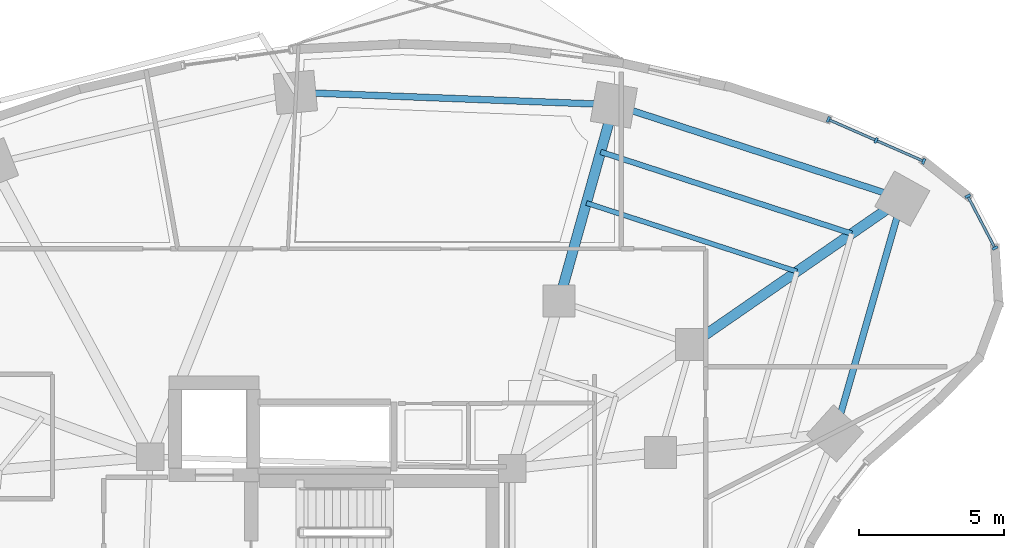
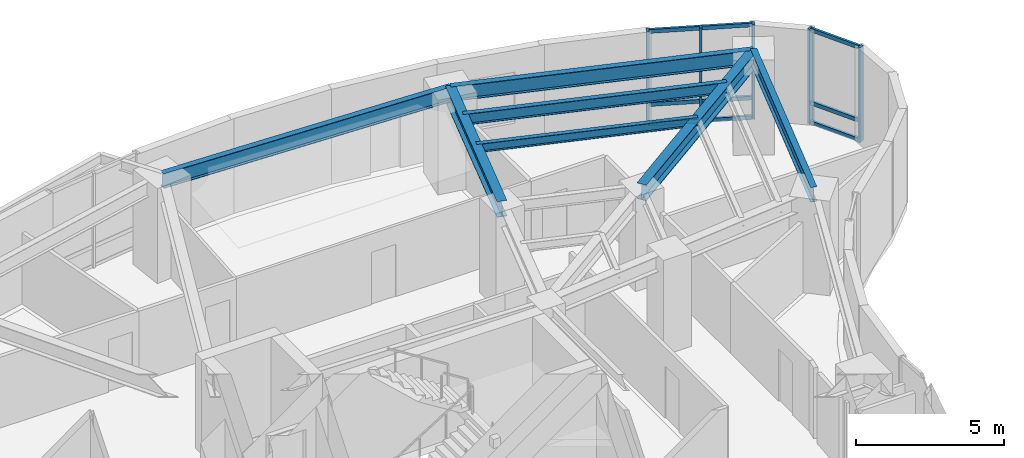
# One storey, part 6 of 15: 14 members, 7 beams, 2 elements without a shape of their own.
"""IFC4 building model written with IfcOpenShell, lengths in metres."""

from ifc_helpers import new_model, si_unit, direction, frame, origin, origin_2d, place, context, subcontext, project, spatial, rectangle, i_section, extrude, material, layer, layer_set, material_profile, profile_set, type_object, element, aggregate, save


model = new_model("IFC4")

# Units and contexts
model_context = context("Model", 3, precision=1e-05, world=origin(), true_north=direction((0.0, 1.0)))
body_context = subcontext(model_context, "Body", "Model", "MODEL_VIEW")
ifc_project = project(units=[si_unit("LENGTHUNIT", "METRE"), si_unit("AREAUNIT", "SQUARE_METRE"), si_unit("VOLUMEUNIT", "CUBIC_METRE"), si_unit("PLANEANGLEUNIT", "RADIAN"), si_unit("MASSUNIT", "GRAM", prefix="KILO")], contexts=[model_context])

# Site, building, storey
site_placement = place(None, origin())
site = spatial("IfcSite", under=ifc_project, at=site_placement, CompositionType="ELEMENT")
building_placement = place(site_placement, origin())
building = spatial("IfcBuilding", under=site, at=building_placement, Name="Korentha Bioscience Tower", CompositionType="ELEMENT")
storey_placement = place(building_placement, frame((0.0, 0.0, 30.0)))
storey = spatial("IfcBuildingStorey", under=building, at=storey_placement, Name="L06", CompositionType="ELEMENT", Elevation=30.0)

# Curtain wall, members
ifc_material_1 = material(Name="Thermally Broken Aluminium Frame", Category="aluminium")
ifc_layer = layer(ifc_material_1, 0.219970703125, Name="Thermally Broken Aluminium Frame")
ifc_layer_set = layer_set([ifc_layer], Name="Thermally Broken Aluminium Frame (CW-T1)")
curtain_wall_type = type_object("IfcCurtainWallType", Name="Standard Bioscience Lab Unitised Curtain Wall CW-T1", PredefinedType="USERDEFINED", material=ifc_layer_set)
curtain_wall_1_placement = place(storey_placement, origin())
curtain_wall_1 = element("IfcCurtainWall", 1, at=curtain_wall_1_placement, inside=storey, type_object=curtain_wall_type, Name="L06 Curtain Wall 01", ObjectType="UNITISED", PredefinedType="USERDEFINED")
ifc_material_2 = material(Name="Anodised Aluminium 6063-T6", Category="aluminium")
ifc_material_profile_1 = material_profile(ifc_material_2, rectangle(XDim=0.090087890625, YDim=0.199951171875, at=origin_2d()), Name="Anodised Aluminium 6063-T6")
ifc_profile_set_1 = profile_set([ifc_material_profile_1], Name="Anodised Aluminium 6063-T6 (CW-MUL)")
member_type_1 = type_object("IfcMemberType", Name="Mullion RECT 90x200", PredefinedType="MULLION", material=ifc_profile_set_1)
member_1_placement = place(storey_placement, frame((51.71337890625, 46.420654296875, 0.0), z_axis=(0.0, 0.0, 1.0), x_axis=(-0.91593909057, 0.401317308828, 0.0)))
member_1 = element("IfcMember", 2, at=member_1_placement, type_object=member_type_1, Name="CW-L06-01 Mullion 1", PredefinedType="MULLION", context=body_context, shape_type="SweptSolid", body=[
    extrude(rectangle(XDim=0.090087890625, YDim=0.199951171875, at=origin_2d()), origin(), (0.0, 0.0, 1.0), 3.89990234375),
])
member_2_placement = place(storey_placement, frame((50.072998046875, 47.139404296875, 0.0), z_axis=(0.0, 0.0, 1.0), x_axis=(-0.91593909057, 0.401317308828, 0.0)))
member_2 = element("IfcMember", 3, at=member_2_placement, type_object=member_type_1, Name="CW-L06-01 Mullion 2", PredefinedType="MULLION", context=body_context, shape_type="SweptSolid", body=[
    extrude(rectangle(XDim=0.090087890625, YDim=0.199951171875, at=origin_2d()), origin(), (0.0, 0.0, 1.0), 3.89990234375),
])
member_3_placement = place(storey_placement, frame((48.43212890625, 47.8583984375, 0.0), z_axis=(0.0, 0.0, 1.0), x_axis=(-0.91593909057, 0.401317308828, 0.0)))
member_3 = element("IfcMember", 4, at=member_3_placement, type_object=member_type_1, Name="CW-L06-01 Mullion 3", PredefinedType="MULLION", context=body_context, shape_type="SweptSolid", body=[
    extrude(rectangle(XDim=0.090087890625, YDim=0.199951171875, at=origin_2d()), origin(), (0.0, 0.0, 1.0), 3.89990234375),
])

curtain_wall_2_placement = place(storey_placement, origin())
curtain_wall_2 = element("IfcCurtainWall", 5, at=curtain_wall_2_placement, inside=storey, type_object=curtain_wall_type, Name="L06 Curtain Wall 61", ObjectType="UNITISED", PredefinedType="USERDEFINED")
member_4_placement = place(storey_placement, frame((54.163330078125, 43.435302734375, 0.0), z_axis=(0.0, 0.0, 1.0), x_axis=(-0.463008597697, 0.886353788539, 0.0)))
member_4 = element("IfcMember", 6, at=member_4_placement, type_object=member_type_1, Name="CW-L06-61 Mullion 1", PredefinedType="MULLION", context=body_context, shape_type="SweptSolid", body=[
    extrude(rectangle(XDim=0.090087890625, YDim=0.199951171875, at=origin_2d()), origin(), (0.0, 0.0, 1.0), 3.89990234375),
])
member_5_placement = place(storey_placement, frame((53.22900390625, 45.2236328125, 0.0), z_axis=(0.0, 0.0, 1.0), x_axis=(-0.463008597697, 0.886353788539, 0.0)))
member_5 = element("IfcMember", 7, at=member_5_placement, type_object=member_type_1, Name="CW-L06-61 Mullion 2", PredefinedType="MULLION", context=body_context, shape_type="SweptSolid", body=[
    extrude(rectangle(XDim=0.090087890625, YDim=0.199951171875, at=origin_2d()), origin(), (0.0, 0.0, 1.0), 3.89990234375),
])

# Beams
ifc_material_3 = material(Name="Steel S355", Category="steel")
ifc_material_profile_2 = material_profile(ifc_material_3, i_section(OverallWidth=0.22802734375, OverallDepth=0.60791015625, WebThickness=0.01123046875, FlangeThickness=0.017333984375, at=origin_2d()), Name="Steel S355")
ifc_profile_set_2 = profile_set([ifc_material_profile_2], Name="Steel S355 (SB-610)")
beam_type_1 = type_object("IfcBeamType", Name="Perimeter Ring Spandrel Girder W610x113", PredefinedType="SPANDREL", material=ifc_profile_set_2)
beam_1_placement = place(storey_placement, frame((50.977294921875, 45.135498046875, 3.595947265625), z_axis=(-0.95087511444, 0.309574735305, 0.0), x_axis=(-0.309574735305, -0.95087511444, 0.0)))
element("IfcBeam", 8, at=beam_1_placement, inside=storey, type_object=beam_type_1, Name="L06 Perimeter Spandrel Girder 01", PredefinedType="SPANDREL", context=body_context, shape_type="SweptSolid", body=[
    extrude(i_section(OverallWidth=0.22802734375, OverallDepth=0.60791015625, WebThickness=0.01123046875, FlangeThickness=0.017333984375, at=origin_2d()), origin(), (0.0, 0.0, 1.0), 10.4375),
])
beam_2_placement = place(storey_placement, frame((41.052490234375, 48.36669921875, 3.595947265625), z_axis=(-0.999246003889, 0.03882555488, 0.0), x_axis=(-0.03882555488, -0.999246003889, 0.0)))
element("IfcBeam", 9, at=beam_2_placement, inside=storey, type_object=beam_type_1, Name="L06 Perimeter Spandrel Girder 02", PredefinedType="SPANDREL", context=body_context, shape_type="SweptSolid", body=[
    extrude(i_section(OverallWidth=0.22802734375, OverallDepth=0.60791015625, WebThickness=0.01123046875, FlangeThickness=0.017333984375, at=origin_2d()), origin(), (0.0, 0.0, 1.0), 10.966552734375),
])
beam_3_placement = place(storey_placement, frame((48.661865234375, 37.060791015625, 3.595947265625), z_axis=(0.275642273411, 0.961260285827, 0.0), x_axis=(-0.961260285827, 0.275642273411, 0.0)))
element("IfcBeam", 10, at=beam_3_placement, inside=storey, type_object=beam_type_1, Name="L06 Perimeter Spandrel Girder 16", PredefinedType="SPANDREL", context=body_context, shape_type="SweptSolid", body=[
    extrude(i_section(OverallWidth=0.22802734375, OverallDepth=0.60791015625, WebThickness=0.01123046875, FlangeThickness=0.017333984375, at=origin_2d()), origin(), (0.0, 0.0, 1.0), 8.400146484375),
])
ifc_material_profile_3 = material_profile(ifc_material_3, i_section(OverallWidth=0.18994140625, OverallDepth=0.45703125, WebThickness=0.009033203125, FlangeThickness=0.014404296875, at=origin_2d()), Name="Steel S355")
ifc_profile_set_3 = profile_set([ifc_material_profile_3], Name="Steel S355 (RB-460)")
beam_type_2 = type_object("IfcBeamType", Name="Radial Laboratory Beam W460x74", PredefinedType="BEAM", material=ifc_profile_set_3)
beam_4_placement = place(storey_placement, frame((49.2373046875, 43.931884765625, 3.67138671875), z_axis=(-0.95087437499, 0.309577006554, 0.0), x_axis=(-0.309577006554, -0.95087437499, 0.0)))
element("IfcBeam", 11, at=beam_4_placement, inside=storey, type_object=beam_type_2, Name="L06 Secondary Floor Beam JSTO-01", PredefinedType="BEAM", context=body_context, shape_type="SweptSolid", body=[
    extrude(i_section(OverallWidth=0.18994140625, OverallDepth=0.45703125, WebThickness=0.009033203125, FlangeThickness=0.014404296875, at=origin_2d()), origin(), (0.0, 0.0, 1.0), 9.0849609375),
])
ifc_material_profile_4 = material_profile(ifc_material_3, i_section(OverallWidth=0.35009765625, OverallDepth=0.64990234375, WebThickness=0.01611328125, FlangeThickness=0.02490234375, at=origin_2d()), Name="Steel S355")
ifc_profile_set_4 = profile_set([ifc_material_profile_4], Name="Steel S355 (RB-650)")
beam_type_3 = type_object("IfcBeamType", Name="Radial Laboratory Girder CVS 650x208", PredefinedType="BEAM", material=ifc_profile_set_4)
beam_5_placement = place(storey_placement, frame((43.7265625, 40.121337890625, 3.574951171875), z_axis=(0.822488186113, 0.568782193555, 0.0), x_axis=(-0.568782193555, 0.822488186113, 0.0)))
element("IfcBeam", 12, at=beam_5_placement, inside=storey, type_object=beam_type_3, Name="L06 Outer Radial Girder 01", PredefinedType="BEAM", context=body_context, shape_type="SweptSolid", body=[
    extrude(i_section(OverallWidth=0.35009765625, OverallDepth=0.64990234375, WebThickness=0.01611328125, FlangeThickness=0.02490234375, at=origin_2d()), origin(), (0.0, 0.0, 1.0), 8.815673828125),
])
beam_6_placement = place(storey_placement, frame((39.1611328125, 41.607666015625, 3.574951171875), z_axis=(0.269475095129, 0.963007358801, 0.0), x_axis=(-0.963007358801, 0.269475095129, 0.0)))
element("IfcBeam", 13, at=beam_6_placement, inside=storey, type_object=beam_type_3, Name="L06 Outer Radial Girder 02", PredefinedType="BEAM", context=body_context, shape_type="SweptSolid", body=[
    extrude(i_section(OverallWidth=0.35009765625, OverallDepth=0.64990234375, WebThickness=0.01611328125, FlangeThickness=0.02490234375, at=origin_2d()), origin(), (0.0, 0.0, 1.0), 7.0185546875),
])
ifc_material_profile_5 = material_profile(ifc_material_3, i_section(OverallWidth=0.1708984375, OverallDepth=0.35498046875, WebThickness=0.007080078125, FlangeThickness=0.01171875, at=origin_2d()), Name="Steel S355")
ifc_profile_set_5 = profile_set([ifc_material_profile_5], Name="Steel S355 (JB-360)")
beam_type_4 = type_object("IfcBeamType", Name="Secondary Laboratory Joist W360x51", PredefinedType="JOIST", material=ifc_profile_set_5)
beam_7_placement = place(storey_placement, frame((47.35205078125, 42.62841796875, 3.722412109375), z_axis=(-0.950870992772, 0.309587394938, 0.0), x_axis=(-0.309587394938, -0.950870992772, 0.0)))
element("IfcBeam", 14, at=beam_7_placement, inside=storey, type_object=beam_type_4, Name="L06 Secondary Floor Beam JST-01", PredefinedType="JOIST", context=body_context, shape_type="SweptSolid", body=[
    extrude(i_section(OverallWidth=0.1708984375, OverallDepth=0.35498046875, WebThickness=0.007080078125, FlangeThickness=0.01171875, at=origin_2d()), origin(), (0.0, 0.0, 1.0), 7.619384765625),
])

# Member
ifc_material_profile_6 = material_profile(ifc_material_2, rectangle(XDim=0.090087890625, YDim=0.159912109375, at=origin_2d()), Name="Anodised Aluminium 6063-T6")
ifc_profile_set_6 = profile_set([ifc_material_profile_6], Name="Anodised Aluminium 6063-T6 (CW-TRN)")
member_type_2 = type_object("IfcMemberType", Name="Transom RECT 90x160", PredefinedType="USERDEFINED", material=ifc_profile_set_6)
member_6_placement = place(storey_placement, frame((51.67236328125, 46.438720703125, 0.044921875), z_axis=(-0.915976098914, 0.401232832926, 0.0), x_axis=(-0.401232832926, -0.915976098914, 0.0)))
member_6 = element("IfcMember", 15, at=member_6_placement, type_object=member_type_2, Name="CW-L06-01 Bay 1 Transom 1", ObjectType="TRANSOM", PredefinedType="USERDEFINED", context=body_context, shape_type="SweptSolid", body=[
    extrude(rectangle(XDim=0.090087890625, YDim=0.159912109375, at=origin_2d()), origin(), (0.0, 0.0, 1.0), 1.701416015625),
])

member_7_placement = place(storey_placement, frame((51.67236328125, 46.438720703125, 0.85009765625), z_axis=(-0.915976098914, 0.401232832926, 0.0), x_axis=(-0.401232832926, -0.915976098914, 0.0)))
member_7 = element("IfcMember", 16, at=member_7_placement, type_object=member_type_2, Name="CW-L06-01 Bay 1 Transom 2", ObjectType="TRANSOM", PredefinedType="USERDEFINED", context=body_context, shape_type="SweptSolid", body=[
    extrude(rectangle(XDim=0.090087890625, YDim=0.159912109375, at=origin_2d()), origin(), (0.0, 0.0, 1.0), 1.701416015625),
])

member_8_placement = place(storey_placement, frame((51.67236328125, 46.438720703125, 3.85498046875), z_axis=(-0.915976098914, 0.401232832926, 0.0), x_axis=(-0.401232832926, -0.915976098914, 0.0)))
member_8 = element("IfcMember", 17, at=member_8_placement, type_object=member_type_2, Name="CW-L06-01 Bay 1 Transom 3", ObjectType="TRANSOM", PredefinedType="USERDEFINED", context=body_context, shape_type="SweptSolid", body=[
    extrude(rectangle(XDim=0.090087890625, YDim=0.159912109375, at=origin_2d()), origin(), (0.0, 0.0, 1.0), 1.701416015625),
])

member_9_placement = place(storey_placement, frame((50.031494140625, 47.15771484375, 0.044921875), z_axis=(-0.915952992218, 0.401285579167, 0.0), x_axis=(-0.401285579167, -0.915952992218, 0.0)))
member_9 = element("IfcMember", 18, at=member_9_placement, type_object=member_type_2, Name="CW-L06-01 Bay 2 Transom 1", ObjectType="TRANSOM", PredefinedType="USERDEFINED", context=body_context, shape_type="SweptSolid", body=[
    extrude(rectangle(XDim=0.090087890625, YDim=0.159912109375, at=origin_2d()), origin(), (0.0, 0.0, 1.0), 1.701171875),
])

member_10_placement = place(storey_placement, frame((50.031494140625, 47.15771484375, 0.85009765625), z_axis=(-0.915952992218, 0.401285579167, 0.0), x_axis=(-0.401285579167, -0.915952992218, 0.0)))
member_10 = element("IfcMember", 19, at=member_10_placement, type_object=member_type_2, Name="CW-L06-01 Bay 2 Transom 2", ObjectType="TRANSOM", PredefinedType="USERDEFINED", context=body_context, shape_type="SweptSolid", body=[
    extrude(rectangle(XDim=0.090087890625, YDim=0.159912109375, at=origin_2d()), origin(), (0.0, 0.0, 1.0), 1.701171875),
])

member_11_placement = place(storey_placement, frame((50.031494140625, 47.15771484375, 3.85498046875), z_axis=(-0.915952992218, 0.401285579167, 0.0), x_axis=(-0.401285579167, -0.915952992218, 0.0)))
member_11 = element("IfcMember", 20, at=member_11_placement, type_object=member_type_2, Name="CW-L06-01 Bay 2 Transom 3", ObjectType="TRANSOM", PredefinedType="USERDEFINED", context=body_context, shape_type="SweptSolid", body=[
    extrude(rectangle(XDim=0.090087890625, YDim=0.159912109375, at=origin_2d()), origin(), (0.0, 0.0, 1.0), 1.701171875),
])

aggregate(curtain_wall_1, [member_1, member_2, member_3, member_6, member_7, member_8, member_9, member_10, member_11])

member_12_placement = place(storey_placement, frame((54.142333984375, 43.47509765625, 0.044921875), z_axis=(-0.462899248902, 0.886410900974, 0.0), x_axis=(-0.886410900974, -0.462899248902, 0.0)))
member_12 = element("IfcMember", 21, at=member_12_placement, type_object=member_type_2, Name="CW-L06-61 Bay 1 Transom 1", ObjectType="TRANSOM", PredefinedType="USERDEFINED", context=body_context, shape_type="SweptSolid", body=[
    extrude(rectangle(XDim=0.090087890625, YDim=0.159912109375, at=origin_2d()), origin(), (0.0, 0.0, 1.0), 1.927734375),
])

member_13_placement = place(storey_placement, frame((54.142333984375, 43.47509765625, 0.85009765625), z_axis=(-0.462899248902, 0.886410900974, 0.0), x_axis=(-0.886410900974, -0.462899248902, 0.0)))
member_13 = element("IfcMember", 22, at=member_13_placement, type_object=member_type_2, Name="CW-L06-61 Bay 1 Transom 2", ObjectType="TRANSOM", PredefinedType="USERDEFINED", context=body_context, shape_type="SweptSolid", body=[
    extrude(rectangle(XDim=0.090087890625, YDim=0.159912109375, at=origin_2d()), origin(), (0.0, 0.0, 1.0), 1.927734375),
])

member_14_placement = place(storey_placement, frame((54.142333984375, 43.47509765625, 3.85498046875), z_axis=(-0.462899248902, 0.886410900974, 0.0), x_axis=(-0.886410900974, -0.462899248902, 0.0)))
member_14 = element("IfcMember", 23, at=member_14_placement, type_object=member_type_2, Name="CW-L06-61 Bay 1 Transom 3", ObjectType="TRANSOM", PredefinedType="USERDEFINED", context=body_context, shape_type="SweptSolid", body=[
    extrude(rectangle(XDim=0.090087890625, YDim=0.159912109375, at=origin_2d()), origin(), (0.0, 0.0, 1.0), 1.927734375),
])

aggregate(curtain_wall_2, [member_4, member_5, member_12, member_13, member_14])

save(model, "model.ifc")
